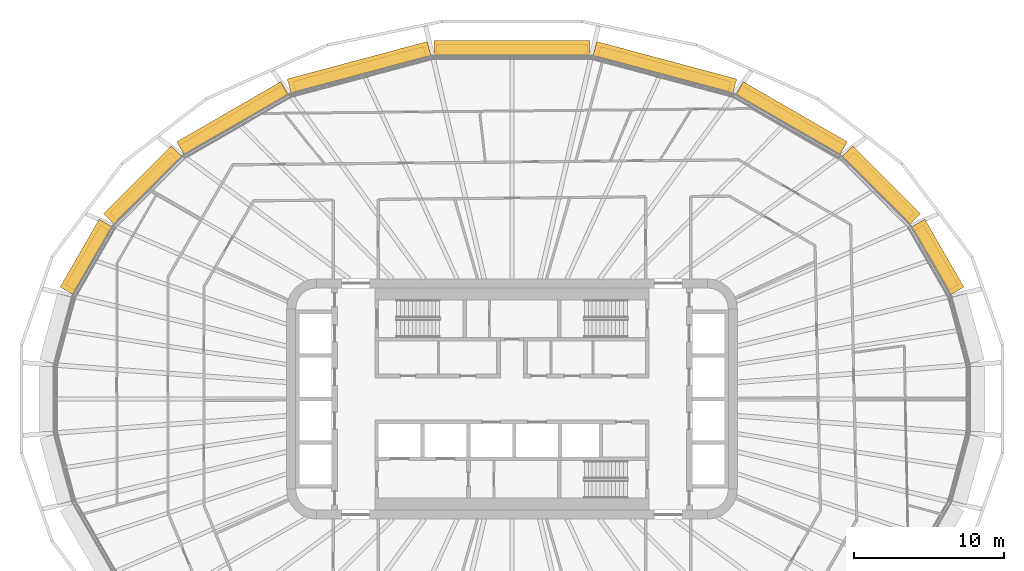
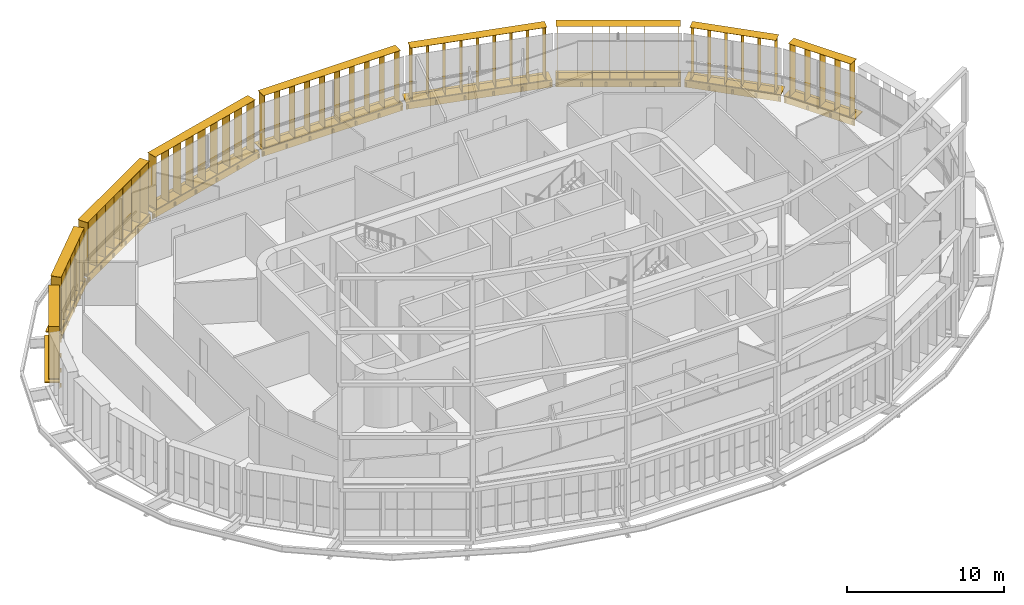
# One storey, part 23 of 23: 18 shading devices.
"""IFC4 building model written with IfcOpenShell, lengths in metres."""

import ifcopenshell
import ifcopenshell.guid

model = None  # the IFC model being written
_history = None  # IfcOwnerHistory: only IFC2X3 demands one
_inside = {}  # id of a spatial element -> (the spatial element, [elements in it])
_under = {}  # id of a project, library or spatial element -> (it, [spatial elements below it])
_declared = {}  # id of a project -> (the project, [libraries it declares])
_typed = {}  # id of a type object -> (the type object, [elements of that type])
_made_of = {}  # id of a material, layer set ... -> (it, [elements and type objects made of it])


def new_model(schema):
    """Start an empty IFC model of exactly this schema.

    Asked for "IFC4X3", IfcOpenShell would pick the latest addendum, in which some entities
    have other attributes; the version numbers below select the first issue.
    IFC2X3 requires an IfcOwnerHistory on every rooted entity: one is made here for all.
    """
    global model, _history
    if schema == "IFC4X3":
        model = ifcopenshell.file(schema_version=(4, 3, 0, 0))
    else:
        model = ifcopenshell.file(schema=schema)
    _inside.clear()
    _under.clear()
    _declared.clear()
    _typed.clear()
    _made_of.clear()
    _history = None
    if model.schema == "IFC2X3":
        org = make("IfcOrganization", Name="unknown")
        user = make(
            "IfcPersonAndOrganization",
            ThePerson=make("IfcPerson", FamilyName="unknown"),
            TheOrganization=org,
        )
        app = make(
            "IfcApplication",
            ApplicationDeveloper=org,
            Version="unknown",
            ApplicationFullName="unknown",
            ApplicationIdentifier="unknown",
        )
        _history = make(
            "IfcOwnerHistory",
            OwningUser=user,
            OwningApplication=app,
            ChangeAction="ADDED",
            CreationDate=0,
        )
    return model


def make(cls, **values):
    """One entity of the class cls with the attributes given. An attribute that is None is left unset."""
    return model.create_entity(
        cls, **{name: value for name, value in values.items() if value is not None}
    )


def rooted(cls, **values):
    """An entity with a GlobalId (a new one), such as an element, a storey or a relation."""
    return make(cls, GlobalId=ifcopenshell.guid.new(), OwnerHistory=_history, **values)


def si_unit(unit_type, name, prefix=None):
    """IfcSIUnit, for example si_unit("LENGTHUNIT", "METRE", prefix="MILLI")."""
    return make("IfcSIUnit", UnitType=unit_type, Prefix=prefix, Name=name)


def assignment(units):
    """IfcUnitAssignment: the units of a project."""
    return None if units is None else make("IfcUnitAssignment", Units=units)


def point(xyz):
    """IfcCartesianPoint."""
    return None if xyz is None else make("IfcCartesianPoint", Coordinates=xyz)


def direction(xyz):
    """IfcDirection."""
    return None if xyz is None else make("IfcDirection", DirectionRatios=xyz)


def frame(location, z_axis=None, x_axis=None):
    """IfcAxis2Placement3D, a coordinate frame: its origin and axes. An axis left out is left unset."""
    return make(
        "IfcAxis2Placement3D",
        Location=point(location),
        Axis=direction(z_axis),
        RefDirection=direction(x_axis),
    )


def frame_2d(location, x_axis=None):
    """IfcAxis2Placement2D, a coordinate frame in the plane: its origin and x axis."""
    return make(
        "IfcAxis2Placement2D", Location=point(location), RefDirection=direction(x_axis)
    )


def origin():
    """The frame at (0, 0, 0) with its axes left unset."""
    return frame((0.0, 0.0, 0.0))


def origin_2d():
    """The frame at (0, 0) in the plane with its x axis left unset."""
    return frame_2d((0.0, 0.0))


def place(relative_to, where):
    """IfcLocalPlacement: puts the frame where relative to a parent placement (None: the world)."""
    return make(
        "IfcLocalPlacement", PlacementRelTo=relative_to, RelativePlacement=where
    )


def context(
    kind, dimensions, precision=None, world=None, true_north=None, identifier=None
):
    """IfcGeometricRepresentationContext, for example the 3D "Model" context."""
    return make(
        "IfcGeometricRepresentationContext",
        ContextIdentifier=identifier,
        ContextType=kind,
        CoordinateSpaceDimension=dimensions,
        Precision=precision,
        WorldCoordinateSystem=world,
        TrueNorth=true_north,
    )


def subcontext(parent, identifier, kind, view, scale=None):
    """IfcGeometricRepresentationSubContext, for example "Body" below "Model"."""
    return make(
        "IfcGeometricRepresentationSubContext",
        ContextIdentifier=identifier,
        ContextType=kind,
        ParentContext=parent,
        TargetScale=scale,
        TargetView=view,
    )


def project(units=None, contexts=None):
    """IfcProject with its units and contexts."""
    return rooted(
        "IfcProject",
        Name="project",
        RepresentationContexts=contexts,
        UnitsInContext=assignment(units),
    )


def spatial(cls, under=None, at=None, **own):
    """A site, building, storey or space (cls), placed at a placement, below another one or the project."""
    s = rooted(cls, ObjectPlacement=at, **own)
    if under is not None:
        _under.setdefault(under.id(), (under, []))[1].append(s)
    return s


def profile(cls, at=None, kind="AREA", **sizes):
    """A parametric profile (cls). Its sizes go by their IFC names, for example OverallWidth=200.0."""
    return make(cls, ProfileType=kind, Position=at, **sizes)


def rectangle(**sizes):
    """IfcRectangleProfileDef."""
    return profile("IfcRectangleProfileDef", **sizes)


def extrude(swept, where, along, depth):
    """IfcExtrudedAreaSolid: the profile swept, set in the frame where, extruded along a direction by depth."""
    return make(
        "IfcExtrudedAreaSolid",
        SweptArea=swept,
        Position=where,
        ExtrudedDirection=direction(along),
        Depth=depth,
    )


def shape(context_of_items, identifier, shape_type, items):
    """IfcShapeRepresentation: the items that make up one representation, for example the "Body"."""
    return make(
        "IfcShapeRepresentation",
        ContextOfItems=context_of_items,
        RepresentationIdentifier=identifier,
        RepresentationType=shape_type,
        Items=items,
    )


def material(Name=None, Category=None):
    """IfcMaterial."""
    return make("IfcMaterial", Name=Name, Category=Category)


def made_of(thing, what):
    """Note that an element or type object is made of a material, layer set ...; save() writes the relation."""
    if what is not None:
        _made_of.setdefault(what.id(), (what, []))[1].append(thing)
    return thing


def type_object(cls, material=None, **own):
    """A type object (cls), such as IfcWallType, which elements share."""
    return made_of(rooted(cls, **own), material)


def element(
    cls,
    number,
    at=None,
    inside=None,
    cuts=None,
    type_object=None,
    material=None,
    context=None,
    identifier="Body",
    shape_type=None,
    held_by="IfcProductDefinitionShape",
    body=None,
    shapes=None,
    **own,
):
    """One element of the class cls, such as IfcWall. Its Tag is "e" and its number.

    at: its placement. inside: the storey or other place that contains it. cuts: it is an
    opening in that element (IfcRelVoidsElement). A single representation is given by context,
    identifier, shape_type and body (its items); several are given by shapes. held_by: the class
    of the entity that holds the representations. save() writes the other relations.
    """
    e = rooted(cls, Tag="e%d" % number, ObjectPlacement=at, **own)
    if body is not None:
        shapes = [shape(context, identifier, shape_type, body)]
    if shapes is not None:
        e.Representation = make(held_by, Representations=shapes)
    if inside is not None:
        _inside.setdefault(inside.id(), (inside, []))[1].append(e)
    if cuts is not None:
        rooted(
            "IfcRelVoidsElement", RelatingBuildingElement=cuts, RelatedOpeningElement=e
        )
    if type_object is not None:
        _typed.setdefault(type_object.id(), (type_object, []))[1].append(e)
    return made_of(e, material)


def aggregate(whole, parts):
    """IfcRelAggregates: a whole, such as a stair, and the parts it consists of."""
    return rooted("IfcRelAggregates", RelatingObject=whole, RelatedObjects=parts)


def save(model, path):
    """Write the relations noted so far, then the file.

    IfcRelAggregates (storeys below a building ...), IfcRelContainedInSpatialStructure (elements
    in a storey), IfcRelDefinesByType, IfcRelAssociatesMaterial and IfcRelDeclares: one each for
    every whole, place, type object, material and project.
    """
    for whole, parts in _under.values():
        aggregate(whole, parts)
    for where, things in _inside.values():
        rooted(
            "IfcRelContainedInSpatialStructure",
            RelatedElements=things,
            RelatingStructure=where,
        )
    for kind, things in _typed.values():
        rooted("IfcRelDefinesByType", RelatedObjects=things, RelatingType=kind)
    for what, things in _made_of.values():
        rooted("IfcRelAssociatesMaterial", RelatedObjects=things, RelatingMaterial=what)
    for by, libraries in _declared.values():
        rooted("IfcRelDeclares", RelatingContext=by, RelatedDefinitions=libraries)
    model.write(path)


model = new_model("IFC4")

# Units and contexts
model_context = context("Model", 3, precision=1e-05, world=origin(), true_north=direction((0.0, 1.0)))
body_context = subcontext(model_context, "Body", "Model", "MODEL_VIEW")
ifc_project = project(units=[si_unit("LENGTHUNIT", "METRE"), si_unit("AREAUNIT", "SQUARE_METRE"), si_unit("VOLUMEUNIT", "CUBIC_METRE"), si_unit("PLANEANGLEUNIT", "RADIAN"), si_unit("MASSUNIT", "GRAM", prefix="KILO")], contexts=[model_context])

# Site, building, storey
site_placement = place(None, origin())
site = spatial("IfcSite", under=ifc_project, at=site_placement, CompositionType="ELEMENT")
building_placement = place(site_placement, origin())
building = spatial("IfcBuilding", under=site, at=building_placement, Name="Sahrelin Media Tower", CompositionType="ELEMENT")
storey_placement = place(building_placement, frame((0.0, 0.0, 54.60009765625)))
storey = spatial("IfcBuildingStorey", under=building, at=storey_placement, Name="L08", CompositionType="ELEMENT", Elevation=54.60009765625)

# Shading devices
ifc_material = material(Name="Champagne anodised aluminium 6063-T6", Category="aluminium")
shading_device_type_1 = type_object("IfcShadingDeviceType", Name="Fin cassette", PredefinedType="USERDEFINED", material=ifc_material)
placement_1 = place(storey_placement, frame((27.893798828125, 9.196533203125, 0.0), z_axis=(0.0, 0.0, 1.0), x_axis=(0.500011000363, -0.866019052629, 0.0)))
element("IfcShadingDevice", 1, at=placement_1, inside=storey, type_object=shading_device_type_1, Name="L08:FIN:L08-02", ObjectType="FIN", PredefinedType="USERDEFINED", context=body_context, shape_type="SweptSolid", body=[
    extrude(rectangle(XDim=4.60009765625, YDim=0.699951171875, at=origin_2d()), frame((0.0, 0.419921875, 0.0)), (0.0, 0.0, 1.0), 0.02001953125),
    extrude(rectangle(XDim=4.60009765625, YDim=0.699951171875, at=origin_2d()), frame((0.0, 0.419921875, 4.10009765625)), (0.0, 0.0, 1.0), 0.02001953125),
    extrude(rectangle(XDim=0.02001953125, YDim=0.699951171875, at=origin_2d()), frame((-2.199951171875, 0.419921875, 0.010009765625), z_axis=(0.0, 0.0, 1.0), x_axis=(1.0, 0.0, 0.0)), (0.0, 0.0, 1.0), 4.10009765625),
    extrude(rectangle(XDim=0.02001953125, YDim=0.699951171875, at=origin_2d()), frame((-1.10009765625, 0.419921875, 0.010009765625), z_axis=(0.0, 0.0, 1.0), x_axis=(1.0, 0.0, 0.0)), (0.0, 0.0, 1.0), 4.10009765625),
    extrude(rectangle(XDim=0.02001953125, YDim=0.699951171875, at=origin_2d()), frame((0.0, 0.419921875, 0.010009765625), z_axis=(0.0, 0.0, 1.0), x_axis=(1.0, 0.0, 0.0)), (0.0, 0.0, 1.0), 4.10009765625),
    extrude(rectangle(XDim=0.02001953125, YDim=0.699951171875, at=origin_2d()), frame((1.10009765625, 0.419921875, 0.010009765625), z_axis=(0.0, 0.0, 1.0), x_axis=(1.0, 0.0, 0.0)), (0.0, 0.0, 1.0), 4.10009765625),
    extrude(rectangle(XDim=0.02001953125, YDim=0.699951171875, at=origin_2d()), frame((2.199951171875, 0.419921875, 0.010009765625), z_axis=(0.0, 0.0, 1.0), x_axis=(1.0, 0.0, 0.0)), (0.0, 0.0, 1.0), 4.10009765625),
])
placement_2 = place(storey_placement, frame((24.218017578125, 13.861328125, 0.0), z_axis=(0.0, 0.0, 1.0), x_axis=(0.707106781187, -0.707106781187, 0.0)))
element("IfcShadingDevice", 2, at=placement_2, inside=storey, type_object=shading_device_type_1, Name="L08:FIN:L08-03", ObjectType="FIN", PredefinedType="USERDEFINED", context=body_context, shape_type="SweptSolid", body=[
    extrude(rectangle(XDim=5.699951171875, YDim=0.699951171875, at=origin_2d()), frame((0.0, 0.419921875, 0.0)), (0.0, 0.0, 1.0), 0.02001953125),
    extrude(rectangle(XDim=5.699951171875, YDim=0.699951171875, at=origin_2d()), frame((0.0, 0.419921875, 4.10009765625)), (0.0, 0.0, 1.0), 0.02001953125),
    extrude(rectangle(XDim=0.02001953125, YDim=0.699951171875, at=origin_2d()), frame((-2.75, 0.419921875, 0.010009765625), z_axis=(0.0, 0.0, 1.0), x_axis=(1.0, 0.0, 0.0)), (0.0, 0.0, 1.0), 4.10009765625),
    extrude(rectangle(XDim=0.02001953125, YDim=0.699951171875, at=origin_2d()), frame((-1.64990234375, 0.419921875, 0.010009765625), z_axis=(0.0, 0.0, 1.0), x_axis=(1.0, 0.0, 0.0)), (0.0, 0.0, 1.0), 4.10009765625),
    extrude(rectangle(XDim=0.02001953125, YDim=0.699951171875, at=origin_2d()), frame((-0.550048828125, 0.419921875, 0.010009765625), z_axis=(0.0, 0.0, 1.0), x_axis=(1.0, 0.0, 0.0)), (0.0, 0.0, 1.0), 4.10009765625),
    extrude(rectangle(XDim=0.02001953125, YDim=0.699951171875, at=origin_2d()), frame((0.550048828125, 0.419921875, 0.010009765625), z_axis=(0.0, 0.0, 1.0), x_axis=(1.0, 0.0, 0.0)), (0.0, 0.0, 1.0), 4.10009765625),
    extrude(rectangle(XDim=0.02001953125, YDim=0.699951171875, at=origin_2d()), frame((1.64990234375, 0.419921875, 0.010009765625), z_axis=(0.0, 0.0, 1.0), x_axis=(1.0, 0.0, 0.0)), (0.0, 0.0, 1.0), 4.10009765625),
    extrude(rectangle(XDim=0.02001953125, YDim=0.699951171875, at=origin_2d()), frame((2.75, 0.419921875, 0.010009765625), z_axis=(0.0, 0.0, 1.0), x_axis=(1.0, 0.0, 0.0)), (0.0, 0.0, 1.0), 4.10009765625),
])
placement_3 = place(storey_placement, frame((18.342041015625, 18.236328125, 0.0), z_axis=(0.0, 0.0, 1.0), x_axis=(0.866019052629, -0.500011000363, 0.0)))
element("IfcShadingDevice", 3, at=placement_3, inside=storey, type_object=shading_device_type_1, Name="L08:FIN:L08-04", ObjectType="FIN", PredefinedType="USERDEFINED", context=body_context, shape_type="SweptSolid", body=[
    extrude(rectangle(XDim=7.89990234375, YDim=0.699951171875, at=origin_2d()), frame((0.0, 0.419921875, 0.0)), (0.0, 0.0, 1.0), 0.02001953125),
    extrude(rectangle(XDim=7.89990234375, YDim=0.699951171875, at=origin_2d()), frame((0.0, 0.419921875, 4.10009765625)), (0.0, 0.0, 1.0), 0.02001953125),
    extrude(rectangle(XDim=0.02001953125, YDim=0.699951171875, at=origin_2d()), frame((-3.85009765625, 0.419921875, 0.010009765625), z_axis=(0.0, 0.0, 1.0), x_axis=(1.0, 0.0, 0.0)), (0.0, 0.0, 1.0), 4.10009765625),
    extrude(rectangle(XDim=0.02001953125, YDim=0.699951171875, at=origin_2d()), frame((-2.75, 0.419921875, 0.010009765625), z_axis=(0.0, 0.0, 1.0), x_axis=(1.0, 0.0, 0.0)), (0.0, 0.0, 1.0), 4.10009765625),
    extrude(rectangle(XDim=0.02001953125, YDim=0.699951171875, at=origin_2d()), frame((-1.64990234375, 0.419921875, 0.010009765625), z_axis=(0.0, 0.0, 1.0), x_axis=(1.0, 0.0, 0.0)), (0.0, 0.0, 1.0), 4.10009765625),
    extrude(rectangle(XDim=0.02001953125, YDim=0.699951171875, at=origin_2d()), frame((-0.550048828125, 0.419921875, 0.010009765625), z_axis=(0.0, 0.0, 1.0), x_axis=(1.0, 0.0, 0.0)), (0.0, 0.0, 1.0), 4.10009765625),
    extrude(rectangle(XDim=0.02001953125, YDim=0.699951171875, at=origin_2d()), frame((0.550048828125, 0.419921875, 0.010009765625), z_axis=(0.0, 0.0, 1.0), x_axis=(1.0, 0.0, 0.0)), (0.0, 0.0, 1.0), 4.10009765625),
    extrude(rectangle(XDim=0.02001953125, YDim=0.699951171875, at=origin_2d()), frame((1.64990234375, 0.419921875, 0.010009765625), z_axis=(0.0, 0.0, 1.0), x_axis=(1.0, 0.0, 0.0)), (0.0, 0.0, 1.0), 4.10009765625),
    extrude(rectangle(XDim=0.02001953125, YDim=0.699951171875, at=origin_2d()), frame((2.75, 0.419921875, 0.010009765625), z_axis=(0.0, 0.0, 1.0), x_axis=(1.0, 0.0, 0.0)), (0.0, 0.0, 1.0), 4.10009765625),
    extrude(rectangle(XDim=0.02001953125, YDim=0.699951171875, at=origin_2d()), frame((3.85009765625, 0.419921875, 0.010009765625), z_axis=(0.0, 0.0, 1.0), x_axis=(1.0, 0.0, 0.0)), (0.0, 0.0, 1.0), 4.10009765625),
])
placement_4 = place(storey_placement, frame((10.03759765625, 21.560302734375, 0.0), z_axis=(0.0, 0.0, 1.0), x_axis=(0.965928857556, -0.258807731996, 0.0)))
element("IfcShadingDevice", 4, at=placement_4, inside=storey, type_object=shading_device_type_1, Name="L08:FIN:L08-05", ObjectType="FIN", PredefinedType="USERDEFINED", context=body_context, shape_type="SweptSolid", body=[
    extrude(rectangle(XDim=9.0, YDim=0.699951171875, at=origin_2d()), frame((0.0, 0.419921875, 0.0)), (0.0, 0.0, 1.0), 0.02001953125),
    extrude(rectangle(XDim=9.0, YDim=0.699951171875, at=origin_2d()), frame((0.0, 0.419921875, 4.10009765625)), (0.0, 0.0, 1.0), 0.02001953125),
    extrude(rectangle(XDim=0.02001953125, YDim=0.699951171875, at=origin_2d()), frame((-4.39990234375, 0.419921875, 0.010009765625), z_axis=(0.0, 0.0, 1.0), x_axis=(1.0, 0.0, 0.0)), (0.0, 0.0, 1.0), 4.10009765625),
    extrude(rectangle(XDim=0.02001953125, YDim=0.699951171875, at=origin_2d()), frame((-3.300048828125, 0.419921875, 0.010009765625), z_axis=(0.0, 0.0, 1.0), x_axis=(1.0, 0.0, 0.0)), (0.0, 0.0, 1.0), 4.10009765625),
    extrude(rectangle(XDim=0.02001953125, YDim=0.699951171875, at=origin_2d()), frame((-2.199951171875, 0.419921875, 0.010009765625), z_axis=(0.0, 0.0, 1.0), x_axis=(1.0, 0.0, 0.0)), (0.0, 0.0, 1.0), 4.10009765625),
    extrude(rectangle(XDim=0.02001953125, YDim=0.699951171875, at=origin_2d()), frame((-1.10009765625, 0.419921875, 0.010009765625), z_axis=(0.0, 0.0, 1.0), x_axis=(1.0, 0.0, 0.0)), (0.0, 0.0, 1.0), 4.10009765625),
    extrude(rectangle(XDim=0.02001953125, YDim=0.699951171875, at=origin_2d()), frame((0.0, 0.419921875, 0.010009765625), z_axis=(0.0, 0.0, 1.0), x_axis=(1.0, 0.0, 0.0)), (0.0, 0.0, 1.0), 4.10009765625),
    extrude(rectangle(XDim=0.02001953125, YDim=0.699951171875, at=origin_2d()), frame((1.10009765625, 0.419921875, 0.010009765625), z_axis=(0.0, 0.0, 1.0), x_axis=(1.0, 0.0, 0.0)), (0.0, 0.0, 1.0), 4.10009765625),
    extrude(rectangle(XDim=0.02001953125, YDim=0.699951171875, at=origin_2d()), frame((2.199951171875, 0.419921875, 0.010009765625), z_axis=(0.0, 0.0, 1.0), x_axis=(1.0, 0.0, 0.0)), (0.0, 0.0, 1.0), 4.10009765625),
    extrude(rectangle(XDim=0.02001953125, YDim=0.699951171875, at=origin_2d()), frame((3.300048828125, 0.419921875, 0.010009765625), z_axis=(0.0, 0.0, 1.0), x_axis=(1.0, 0.0, 0.0)), (0.0, 0.0, 1.0), 4.10009765625),
    extrude(rectangle(XDim=0.02001953125, YDim=0.699951171875, at=origin_2d()), frame((4.39990234375, 0.419921875, 0.010009765625), z_axis=(0.0, 0.0, 1.0), x_axis=(1.0, 0.0, 0.0)), (0.0, 0.0, 1.0), 4.10009765625),
])
placement_5 = place(storey_placement, frame((0.0, 22.833984375, 0.0), z_axis=(0.0, 0.0, 1.0), x_axis=(1.0, 0.0, 0.0)))
element("IfcShadingDevice", 5, at=placement_5, inside=storey, type_object=shading_device_type_1, Name="L08:FIN:L08-06", ObjectType="FIN", PredefinedType="USERDEFINED", context=body_context, shape_type="SweptSolid", body=[
    extrude(rectangle(XDim=10.10009765625, YDim=0.699951171875, at=origin_2d()), frame((0.0, 0.419921875, 0.0)), (0.0, 0.0, 1.0), 0.02001953125),
    extrude(rectangle(XDim=10.10009765625, YDim=0.699951171875, at=origin_2d()), frame((0.0, 0.419921875, 4.10009765625)), (0.0, 0.0, 1.0), 0.02001953125),
    extrude(rectangle(XDim=0.02001953125, YDim=0.699951171875, at=origin_2d()), frame((-4.949951171875, 0.419921875, 0.010009765625), z_axis=(0.0, 0.0, 1.0), x_axis=(1.0, 0.0, 0.0)), (0.0, 0.0, 1.0), 4.10009765625),
    extrude(rectangle(XDim=0.02001953125, YDim=0.699951171875, at=origin_2d()), frame((-3.85009765625, 0.419921875, 0.010009765625), z_axis=(0.0, 0.0, 1.0), x_axis=(1.0, 0.0, 0.0)), (0.0, 0.0, 1.0), 4.10009765625),
    extrude(rectangle(XDim=0.02001953125, YDim=0.699951171875, at=origin_2d()), frame((-2.75, 0.419921875, 0.010009765625), z_axis=(0.0, 0.0, 1.0), x_axis=(1.0, 0.0, 0.0)), (0.0, 0.0, 1.0), 4.10009765625),
    extrude(rectangle(XDim=0.02001953125, YDim=0.699951171875, at=origin_2d()), frame((-1.64990234375, 0.419921875, 0.010009765625), z_axis=(0.0, 0.0, 1.0), x_axis=(1.0, 0.0, 0.0)), (0.0, 0.0, 1.0), 4.10009765625),
    extrude(rectangle(XDim=0.02001953125, YDim=0.699951171875, at=origin_2d()), frame((-0.550048828125, 0.419921875, 0.010009765625), z_axis=(0.0, 0.0, 1.0), x_axis=(1.0, 0.0, 0.0)), (0.0, 0.0, 1.0), 4.10009765625),
    extrude(rectangle(XDim=0.02001953125, YDim=0.699951171875, at=origin_2d()), frame((0.550048828125, 0.419921875, 0.010009765625), z_axis=(0.0, 0.0, 1.0), x_axis=(1.0, 0.0, 0.0)), (0.0, 0.0, 1.0), 4.10009765625),
    extrude(rectangle(XDim=0.02001953125, YDim=0.699951171875, at=origin_2d()), frame((1.64990234375, 0.419921875, 0.010009765625), z_axis=(0.0, 0.0, 1.0), x_axis=(1.0, 0.0, 0.0)), (0.0, 0.0, 1.0), 4.10009765625),
    extrude(rectangle(XDim=0.02001953125, YDim=0.699951171875, at=origin_2d()), frame((2.75, 0.419921875, 0.010009765625), z_axis=(0.0, 0.0, 1.0), x_axis=(1.0, 0.0, 0.0)), (0.0, 0.0, 1.0), 4.10009765625),
    extrude(rectangle(XDim=0.02001953125, YDim=0.699951171875, at=origin_2d()), frame((3.85009765625, 0.419921875, 0.010009765625), z_axis=(0.0, 0.0, 1.0), x_axis=(1.0, 0.0, 0.0)), (0.0, 0.0, 1.0), 4.10009765625),
    extrude(rectangle(XDim=0.02001953125, YDim=0.699951171875, at=origin_2d()), frame((4.949951171875, 0.419921875, 0.010009765625), z_axis=(0.0, 0.0, 1.0), x_axis=(1.0, 0.0, 0.0)), (0.0, 0.0, 1.0), 4.10009765625),
])
placement_6 = place(storey_placement, frame((-10.03759765625, 21.560302734375, 0.0), z_axis=(0.0, 0.0, 1.0), x_axis=(0.965928857556, 0.258807731996, 0.0)))
element("IfcShadingDevice", 6, at=placement_6, inside=storey, type_object=shading_device_type_1, Name="L08:FIN:L08-07", ObjectType="FIN", PredefinedType="USERDEFINED", context=body_context, shape_type="SweptSolid", body=[
    extrude(rectangle(XDim=9.0, YDim=0.699951171875, at=origin_2d()), frame((0.0, 0.419921875, 0.0)), (0.0, 0.0, 1.0), 0.02001953125),
    extrude(rectangle(XDim=9.0, YDim=0.699951171875, at=origin_2d()), frame((0.0, 0.419921875, 4.10009765625)), (0.0, 0.0, 1.0), 0.02001953125),
    extrude(rectangle(XDim=0.02001953125, YDim=0.699951171875, at=origin_2d()), frame((-4.39990234375, 0.419921875, 0.010009765625), z_axis=(0.0, 0.0, 1.0), x_axis=(1.0, 0.0, 0.0)), (0.0, 0.0, 1.0), 4.10009765625),
    extrude(rectangle(XDim=0.02001953125, YDim=0.699951171875, at=origin_2d()), frame((-3.300048828125, 0.419921875, 0.010009765625), z_axis=(0.0, 0.0, 1.0), x_axis=(1.0, 0.0, 0.0)), (0.0, 0.0, 1.0), 4.10009765625),
    extrude(rectangle(XDim=0.02001953125, YDim=0.699951171875, at=origin_2d()), frame((-2.199951171875, 0.419921875, 0.010009765625), z_axis=(0.0, 0.0, 1.0), x_axis=(1.0, 0.0, 0.0)), (0.0, 0.0, 1.0), 4.10009765625),
    extrude(rectangle(XDim=0.02001953125, YDim=0.699951171875, at=origin_2d()), frame((-1.10009765625, 0.419921875, 0.010009765625), z_axis=(0.0, 0.0, 1.0), x_axis=(1.0, 0.0, 0.0)), (0.0, 0.0, 1.0), 4.10009765625),
    extrude(rectangle(XDim=0.02001953125, YDim=0.699951171875, at=origin_2d()), frame((0.0, 0.419921875, 0.010009765625), z_axis=(0.0, 0.0, 1.0), x_axis=(1.0, 0.0, 0.0)), (0.0, 0.0, 1.0), 4.10009765625),
    extrude(rectangle(XDim=0.02001953125, YDim=0.699951171875, at=origin_2d()), frame((1.10009765625, 0.419921875, 0.010009765625), z_axis=(0.0, 0.0, 1.0), x_axis=(1.0, 0.0, 0.0)), (0.0, 0.0, 1.0), 4.10009765625),
    extrude(rectangle(XDim=0.02001953125, YDim=0.699951171875, at=origin_2d()), frame((2.199951171875, 0.419921875, 0.010009765625), z_axis=(0.0, 0.0, 1.0), x_axis=(1.0, 0.0, 0.0)), (0.0, 0.0, 1.0), 4.10009765625),
    extrude(rectangle(XDim=0.02001953125, YDim=0.699951171875, at=origin_2d()), frame((3.300048828125, 0.419921875, 0.010009765625), z_axis=(0.0, 0.0, 1.0), x_axis=(1.0, 0.0, 0.0)), (0.0, 0.0, 1.0), 4.10009765625),
    extrude(rectangle(XDim=0.02001953125, YDim=0.699951171875, at=origin_2d()), frame((4.39990234375, 0.419921875, 0.010009765625), z_axis=(0.0, 0.0, 1.0), x_axis=(1.0, 0.0, 0.0)), (0.0, 0.0, 1.0), 4.10009765625),
])
placement_7 = place(storey_placement, frame((-18.342041015625, 18.236328125, 0.0), z_axis=(0.0, 0.0, 1.0), x_axis=(0.866019052629, 0.500011000363, 0.0)))
element("IfcShadingDevice", 7, at=placement_7, inside=storey, type_object=shading_device_type_1, Name="L08:FIN:L08-08", ObjectType="FIN", PredefinedType="USERDEFINED", context=body_context, shape_type="SweptSolid", body=[
    extrude(rectangle(XDim=7.89990234375, YDim=0.699951171875, at=origin_2d()), frame((0.0, 0.419921875, 0.0)), (0.0, 0.0, 1.0), 0.02001953125),
    extrude(rectangle(XDim=7.89990234375, YDim=0.699951171875, at=origin_2d()), frame((0.0, 0.419921875, 4.10009765625)), (0.0, 0.0, 1.0), 0.02001953125),
    extrude(rectangle(XDim=0.02001953125, YDim=0.699951171875, at=origin_2d()), frame((-3.85009765625, 0.419921875, 0.010009765625), z_axis=(0.0, 0.0, 1.0), x_axis=(1.0, 0.0, 0.0)), (0.0, 0.0, 1.0), 4.10009765625),
    extrude(rectangle(XDim=0.02001953125, YDim=0.699951171875, at=origin_2d()), frame((-2.75, 0.419921875, 0.010009765625), z_axis=(0.0, 0.0, 1.0), x_axis=(1.0, 0.0, 0.0)), (0.0, 0.0, 1.0), 4.10009765625),
    extrude(rectangle(XDim=0.02001953125, YDim=0.699951171875, at=origin_2d()), frame((-1.64990234375, 0.419921875, 0.010009765625), z_axis=(0.0, 0.0, 1.0), x_axis=(1.0, 0.0, 0.0)), (0.0, 0.0, 1.0), 4.10009765625),
    extrude(rectangle(XDim=0.02001953125, YDim=0.699951171875, at=origin_2d()), frame((-0.550048828125, 0.419921875, 0.010009765625), z_axis=(0.0, 0.0, 1.0), x_axis=(1.0, 0.0, 0.0)), (0.0, 0.0, 1.0), 4.10009765625),
    extrude(rectangle(XDim=0.02001953125, YDim=0.699951171875, at=origin_2d()), frame((0.550048828125, 0.419921875, 0.010009765625), z_axis=(0.0, 0.0, 1.0), x_axis=(1.0, 0.0, 0.0)), (0.0, 0.0, 1.0), 4.10009765625),
    extrude(rectangle(XDim=0.02001953125, YDim=0.699951171875, at=origin_2d()), frame((1.64990234375, 0.419921875, 0.010009765625), z_axis=(0.0, 0.0, 1.0), x_axis=(1.0, 0.0, 0.0)), (0.0, 0.0, 1.0), 4.10009765625),
    extrude(rectangle(XDim=0.02001953125, YDim=0.699951171875, at=origin_2d()), frame((2.75, 0.419921875, 0.010009765625), z_axis=(0.0, 0.0, 1.0), x_axis=(1.0, 0.0, 0.0)), (0.0, 0.0, 1.0), 4.10009765625),
    extrude(rectangle(XDim=0.02001953125, YDim=0.699951171875, at=origin_2d()), frame((3.85009765625, 0.419921875, 0.010009765625), z_axis=(0.0, 0.0, 1.0), x_axis=(1.0, 0.0, 0.0)), (0.0, 0.0, 1.0), 4.10009765625),
])
placement_8 = place(storey_placement, frame((-24.21826171875, 13.861572265625, 0.0), z_axis=(0.0, 0.0, 1.0), x_axis=(0.707106781187, 0.707106781187, 0.0)))
element("IfcShadingDevice", 8, at=placement_8, inside=storey, type_object=shading_device_type_1, Name="L08:FIN:L08-09", ObjectType="FIN", PredefinedType="USERDEFINED", context=body_context, shape_type="SweptSolid", body=[
    extrude(rectangle(XDim=5.699951171875, YDim=0.699951171875, at=origin_2d()), frame((0.0, 0.419921875, 0.0)), (0.0, 0.0, 1.0), 0.02001953125),
    extrude(rectangle(XDim=5.699951171875, YDim=0.699951171875, at=origin_2d()), frame((0.0, 0.419921875, 4.10009765625)), (0.0, 0.0, 1.0), 0.02001953125),
    extrude(rectangle(XDim=0.02001953125, YDim=0.699951171875, at=origin_2d()), frame((-2.75, 0.419921875, 0.010009765625), z_axis=(0.0, 0.0, 1.0), x_axis=(1.0, 0.0, 0.0)), (0.0, 0.0, 1.0), 4.10009765625),
    extrude(rectangle(XDim=0.02001953125, YDim=0.699951171875, at=origin_2d()), frame((-1.64990234375, 0.419921875, 0.010009765625), z_axis=(0.0, 0.0, 1.0), x_axis=(1.0, 0.0, 0.0)), (0.0, 0.0, 1.0), 4.10009765625),
    extrude(rectangle(XDim=0.02001953125, YDim=0.699951171875, at=origin_2d()), frame((-0.550048828125, 0.419921875, 0.010009765625), z_axis=(0.0, 0.0, 1.0), x_axis=(1.0, 0.0, 0.0)), (0.0, 0.0, 1.0), 4.10009765625),
    extrude(rectangle(XDim=0.02001953125, YDim=0.699951171875, at=origin_2d()), frame((0.550048828125, 0.419921875, 0.010009765625), z_axis=(0.0, 0.0, 1.0), x_axis=(1.0, 0.0, 0.0)), (0.0, 0.0, 1.0), 4.10009765625),
    extrude(rectangle(XDim=0.02001953125, YDim=0.699951171875, at=origin_2d()), frame((1.64990234375, 0.419921875, 0.010009765625), z_axis=(0.0, 0.0, 1.0), x_axis=(1.0, 0.0, 0.0)), (0.0, 0.0, 1.0), 4.10009765625),
    extrude(rectangle(XDim=0.02001953125, YDim=0.699951171875, at=origin_2d()), frame((2.75, 0.419921875, 0.010009765625), z_axis=(0.0, 0.0, 1.0), x_axis=(1.0, 0.0, 0.0)), (0.0, 0.0, 1.0), 4.10009765625),
])
placement_9 = place(storey_placement, frame((-27.893798828125, 9.196533203125, 0.0), z_axis=(0.0, 0.0, 1.0), x_axis=(0.500011000363, 0.866019052629, 0.0)))
element("IfcShadingDevice", 9, at=placement_9, inside=storey, type_object=shading_device_type_1, Name="L08:FIN:L08-10", ObjectType="FIN", PredefinedType="USERDEFINED", context=body_context, shape_type="SweptSolid", body=[
    extrude(rectangle(XDim=4.60009765625, YDim=0.699951171875, at=origin_2d()), frame((0.0, 0.419921875, 0.0)), (0.0, 0.0, 1.0), 0.02001953125),
    extrude(rectangle(XDim=4.60009765625, YDim=0.699951171875, at=origin_2d()), frame((0.0, 0.419921875, 4.10009765625)), (0.0, 0.0, 1.0), 0.02001953125),
    extrude(rectangle(XDim=0.02001953125, YDim=0.699951171875, at=origin_2d()), frame((-2.199951171875, 0.419921875, 0.010009765625), z_axis=(0.0, 0.0, 1.0), x_axis=(1.0, 0.0, 0.0)), (0.0, 0.0, 1.0), 4.10009765625),
    extrude(rectangle(XDim=0.02001953125, YDim=0.699951171875, at=origin_2d()), frame((-1.10009765625, 0.419921875, 0.010009765625), z_axis=(0.0, 0.0, 1.0), x_axis=(1.0, 0.0, 0.0)), (0.0, 0.0, 1.0), 4.10009765625),
    extrude(rectangle(XDim=0.02001953125, YDim=0.699951171875, at=origin_2d()), frame((0.0, 0.419921875, 0.010009765625), z_axis=(0.0, 0.0, 1.0), x_axis=(1.0, 0.0, 0.0)), (0.0, 0.0, 1.0), 4.10009765625),
    extrude(rectangle(XDim=0.02001953125, YDim=0.699951171875, at=origin_2d()), frame((1.10009765625, 0.419921875, 0.010009765625), z_axis=(0.0, 0.0, 1.0), x_axis=(1.0, 0.0, 0.0)), (0.0, 0.0, 1.0), 4.10009765625),
    extrude(rectangle(XDim=0.02001953125, YDim=0.699951171875, at=origin_2d()), frame((2.199951171875, 0.419921875, 0.010009765625), z_axis=(0.0, 0.0, 1.0), x_axis=(1.0, 0.0, 0.0)), (0.0, 0.0, 1.0), 4.10009765625),
])
shading_device_type_2 = type_object("IfcShadingDeviceType", Name="Sunshade band", PredefinedType="USERDEFINED", material=ifc_material)
element("IfcShadingDevice", 10, at=placement_1, inside=storey, type_object=shading_device_type_2, Name="L08:SUN:L08-02", ObjectType="SUNSHADE", PredefinedType="USERDEFINED", context=body_context, shape_type="SweptSolid", body=[
    extrude(rectangle(XDim=5.205810546875, YDim=0.050048828125, at=origin_2d()), frame((0.0, 0.044921875, -0.55126953125)), (0.0, 0.0, 1.0), 0.471435546875),
    extrude(rectangle(XDim=5.205810546875, YDim=1.0, at=origin_2d()), frame((0.0, 0.52001953125, -0.080078125)), (0.0, 0.0, 1.0), 0.080078125),
    extrude(rectangle(XDim=0.10009765625, YDim=0.074951171875, at=origin_2d()), frame((-2.502685546875, -0.017578125, -0.47021484375)), (0.0, 0.0, 1.0), 0.300048828125),
    extrude(rectangle(XDim=0.10009765625, YDim=0.074951171875, at=origin_2d()), frame((-0.834228515625, -0.017578125, -0.47021484375)), (0.0, 0.0, 1.0), 0.300048828125),
    extrude(rectangle(XDim=0.10009765625, YDim=0.074951171875, at=origin_2d()), frame((0.834228515625, -0.017578125, -0.47021484375)), (0.0, 0.0, 1.0), 0.300048828125),
    extrude(rectangle(XDim=0.10009765625, YDim=0.074951171875, at=origin_2d()), frame((2.502685546875, -0.017578125, -0.47021484375)), (0.0, 0.0, 1.0), 0.300048828125),
])
element("IfcShadingDevice", 11, at=placement_2, inside=storey, type_object=shading_device_type_2, Name="L08:SUN:L08-03", ObjectType="SUNSHADE", PredefinedType="USERDEFINED", context=body_context, shape_type="SweptSolid", body=[
    extrude(rectangle(XDim=6.373779296875, YDim=0.050048828125, at=origin_2d()), frame((0.0, 0.044921875, -0.55126953125)), (0.0, 0.0, 1.0), 0.471435546875),
    extrude(rectangle(XDim=6.373779296875, YDim=1.0, at=origin_2d()), frame((0.0, 0.52001953125, -0.080078125)), (0.0, 0.0, 1.0), 0.080078125),
    extrude(rectangle(XDim=0.10009765625, YDim=0.074951171875, at=origin_2d()), frame((-3.0869140625, -0.017578125, -0.47021484375)), (0.0, 0.0, 1.0), 0.300048828125),
    extrude(rectangle(XDim=0.10009765625, YDim=0.074951171875, at=origin_2d()), frame((-1.54345703125, -0.017578125, -0.47021484375)), (0.0, 0.0, 1.0), 0.300048828125),
    extrude(rectangle(XDim=0.10009765625, YDim=0.074951171875, at=origin_2d()), frame((0.0, -0.017578125, -0.47021484375)), (0.0, 0.0, 1.0), 0.300048828125),
    extrude(rectangle(XDim=0.10009765625, YDim=0.074951171875, at=origin_2d()), frame((1.54345703125, -0.017578125, -0.47021484375)), (0.0, 0.0, 1.0), 0.300048828125),
    extrude(rectangle(XDim=0.10009765625, YDim=0.074951171875, at=origin_2d()), frame((3.0869140625, -0.017578125, -0.47021484375)), (0.0, 0.0, 1.0), 0.300048828125),
])
element("IfcShadingDevice", 12, at=placement_3, inside=storey, type_object=shading_device_type_2, Name="L08:SUN:L08-04", ObjectType="SUNSHADE", PredefinedType="USERDEFINED", context=body_context, shape_type="SweptSolid", body=[
    extrude(rectangle(XDim=8.0029296875, YDim=0.050048828125, at=origin_2d()), frame((0.0, 0.044921875, -0.55126953125)), (0.0, 0.0, 1.0), 0.471435546875),
    extrude(rectangle(XDim=8.0029296875, YDim=1.0, at=origin_2d()), frame((0.0, 0.52001953125, -0.080078125)), (0.0, 0.0, 1.0), 0.080078125),
    extrude(rectangle(XDim=0.10009765625, YDim=0.074951171875, at=origin_2d()), frame((-3.9013671875, -0.017578125, -0.47021484375)), (0.0, 0.0, 1.0), 0.300048828125),
    extrude(rectangle(XDim=0.10009765625, YDim=0.074951171875, at=origin_2d()), frame((-2.3408203125, -0.017578125, -0.47021484375)), (0.0, 0.0, 1.0), 0.300048828125),
    extrude(rectangle(XDim=0.10009765625, YDim=0.074951171875, at=origin_2d()), frame((-0.7802734375, -0.017578125, -0.47021484375)), (0.0, 0.0, 1.0), 0.300048828125),
    extrude(rectangle(XDim=0.10009765625, YDim=0.074951171875, at=origin_2d()), frame((0.7802734375, -0.017578125, -0.47021484375)), (0.0, 0.0, 1.0), 0.300048828125),
    extrude(rectangle(XDim=0.10009765625, YDim=0.074951171875, at=origin_2d()), frame((2.3408203125, -0.017578125, -0.47021484375)), (0.0, 0.0, 1.0), 0.300048828125),
    extrude(rectangle(XDim=0.10009765625, YDim=0.074951171875, at=origin_2d()), frame((3.9013671875, -0.017578125, -0.47021484375)), (0.0, 0.0, 1.0), 0.300048828125),
])
element("IfcShadingDevice", 13, at=placement_4, inside=storey, type_object=shading_device_type_2, Name="L08:SUN:L08-05", ObjectType="SUNSHADE", PredefinedType="USERDEFINED", context=body_context, shape_type="SweptSolid", body=[
    extrude(rectangle(XDim=9.640380859375, YDim=0.050048828125, at=origin_2d()), frame((0.0, 0.044921875, -0.55126953125)), (0.0, 0.0, 1.0), 0.471435546875),
    extrude(rectangle(XDim=9.640380859375, YDim=1.0, at=origin_2d()), frame((0.0, 0.52001953125, -0.080078125)), (0.0, 0.0, 1.0), 0.080078125),
    extrude(rectangle(XDim=0.10009765625, YDim=0.074951171875, at=origin_2d()), frame((-4.72021484375, -0.017578125, -0.47021484375)), (0.0, 0.0, 1.0), 0.300048828125),
    extrude(rectangle(XDim=0.10009765625, YDim=0.074951171875, at=origin_2d()), frame((-2.832275390625, -0.017578125, -0.47021484375)), (0.0, 0.0, 1.0), 0.300048828125),
    extrude(rectangle(XDim=0.10009765625, YDim=0.074951171875, at=origin_2d()), frame((-0.944091796875, -0.017578125, -0.47021484375)), (0.0, 0.0, 1.0), 0.300048828125),
    extrude(rectangle(XDim=0.10009765625, YDim=0.074951171875, at=origin_2d()), frame((0.944091796875, -0.017578125, -0.47021484375)), (0.0, 0.0, 1.0), 0.300048828125),
    extrude(rectangle(XDim=0.10009765625, YDim=0.074951171875, at=origin_2d()), frame((2.832275390625, -0.017578125, -0.47021484375)), (0.0, 0.0, 1.0), 0.300048828125),
    extrude(rectangle(XDim=0.10009765625, YDim=0.074951171875, at=origin_2d()), frame((4.72021484375, -0.017578125, -0.47021484375)), (0.0, 0.0, 1.0), 0.300048828125),
])
element("IfcShadingDevice", 14, at=placement_5, inside=storey, type_object=shading_device_type_2, Name="L08:SUN:L08-06", ObjectType="SUNSHADE", PredefinedType="USERDEFINED", context=body_context, shape_type="SweptSolid", body=[
    extrude(rectangle(XDim=10.369873046875, YDim=0.050048828125, at=origin_2d()), frame((0.0, 0.044921875, -0.55126953125)), (0.0, 0.0, 1.0), 0.471435546875),
    extrude(rectangle(XDim=10.369873046875, YDim=1.0, at=origin_2d()), frame((0.0, 0.52001953125, -0.080078125)), (0.0, 0.0, 1.0), 0.080078125),
    extrude(rectangle(XDim=0.10009765625, YDim=0.074951171875, at=origin_2d()), frame((-5.0849609375, -0.017578125, -0.47021484375)), (0.0, 0.0, 1.0), 0.300048828125),
    extrude(rectangle(XDim=0.10009765625, YDim=0.074951171875, at=origin_2d()), frame((-3.389892578125, -0.017578125, -0.47021484375)), (0.0, 0.0, 1.0), 0.300048828125),
    extrude(rectangle(XDim=0.10009765625, YDim=0.074951171875, at=origin_2d()), frame((-1.695068359375, -0.017578125, -0.47021484375)), (0.0, 0.0, 1.0), 0.300048828125),
    extrude(rectangle(XDim=0.10009765625, YDim=0.074951171875, at=origin_2d()), frame((0.0, -0.017578125, -0.47021484375)), (0.0, 0.0, 1.0), 0.300048828125),
    extrude(rectangle(XDim=0.10009765625, YDim=0.074951171875, at=origin_2d()), frame((1.695068359375, -0.017578125, -0.47021484375)), (0.0, 0.0, 1.0), 0.300048828125),
    extrude(rectangle(XDim=0.10009765625, YDim=0.074951171875, at=origin_2d()), frame((3.389892578125, -0.017578125, -0.47021484375)), (0.0, 0.0, 1.0), 0.300048828125),
    extrude(rectangle(XDim=0.10009765625, YDim=0.074951171875, at=origin_2d()), frame((5.0849609375, -0.017578125, -0.47021484375)), (0.0, 0.0, 1.0), 0.300048828125),
])
element("IfcShadingDevice", 15, at=placement_6, inside=storey, type_object=shading_device_type_2, Name="L08:SUN:L08-07", ObjectType="SUNSHADE", PredefinedType="USERDEFINED", context=body_context, shape_type="SweptSolid", body=[
    extrude(rectangle(XDim=9.640380859375, YDim=0.050048828125, at=origin_2d()), frame((0.0, 0.044921875, -0.55126953125)), (0.0, 0.0, 1.0), 0.471435546875),
    extrude(rectangle(XDim=9.640380859375, YDim=1.0, at=origin_2d()), frame((0.0, 0.52001953125, -0.080078125)), (0.0, 0.0, 1.0), 0.080078125),
    extrude(rectangle(XDim=0.10009765625, YDim=0.074951171875, at=origin_2d()), frame((-4.72021484375, -0.017578125, -0.47021484375)), (0.0, 0.0, 1.0), 0.300048828125),
    extrude(rectangle(XDim=0.10009765625, YDim=0.074951171875, at=origin_2d()), frame((-2.832275390625, -0.017578125, -0.47021484375)), (0.0, 0.0, 1.0), 0.300048828125),
    extrude(rectangle(XDim=0.10009765625, YDim=0.074951171875, at=origin_2d()), frame((-0.944091796875, -0.017578125, -0.47021484375)), (0.0, 0.0, 1.0), 0.300048828125),
    extrude(rectangle(XDim=0.10009765625, YDim=0.074951171875, at=origin_2d()), frame((0.944091796875, -0.017578125, -0.47021484375)), (0.0, 0.0, 1.0), 0.300048828125),
    extrude(rectangle(XDim=0.10009765625, YDim=0.074951171875, at=origin_2d()), frame((2.832275390625, -0.017578125, -0.47021484375)), (0.0, 0.0, 1.0), 0.300048828125),
    extrude(rectangle(XDim=0.10009765625, YDim=0.074951171875, at=origin_2d()), frame((4.72021484375, -0.017578125, -0.47021484375)), (0.0, 0.0, 1.0), 0.300048828125),
])
element("IfcShadingDevice", 16, at=placement_7, inside=storey, type_object=shading_device_type_2, Name="L08:SUN:L08-08", ObjectType="SUNSHADE", PredefinedType="USERDEFINED", context=body_context, shape_type="SweptSolid", body=[
    extrude(rectangle(XDim=8.0029296875, YDim=0.050048828125, at=origin_2d()), frame((0.0, 0.044921875, -0.55126953125)), (0.0, 0.0, 1.0), 0.471435546875),
    extrude(rectangle(XDim=8.0029296875, YDim=1.0, at=origin_2d()), frame((0.0, 0.52001953125, -0.080078125)), (0.0, 0.0, 1.0), 0.080078125),
    extrude(rectangle(XDim=0.10009765625, YDim=0.074951171875, at=origin_2d()), frame((-3.9013671875, -0.017578125, -0.47021484375)), (0.0, 0.0, 1.0), 0.300048828125),
    extrude(rectangle(XDim=0.10009765625, YDim=0.074951171875, at=origin_2d()), frame((-2.3408203125, -0.017578125, -0.47021484375)), (0.0, 0.0, 1.0), 0.300048828125),
    extrude(rectangle(XDim=0.10009765625, YDim=0.074951171875, at=origin_2d()), frame((-0.7802734375, -0.017578125, -0.47021484375)), (0.0, 0.0, 1.0), 0.300048828125),
    extrude(rectangle(XDim=0.10009765625, YDim=0.074951171875, at=origin_2d()), frame((0.7802734375, -0.017578125, -0.47021484375)), (0.0, 0.0, 1.0), 0.300048828125),
    extrude(rectangle(XDim=0.10009765625, YDim=0.074951171875, at=origin_2d()), frame((2.3408203125, -0.017578125, -0.47021484375)), (0.0, 0.0, 1.0), 0.300048828125),
    extrude(rectangle(XDim=0.10009765625, YDim=0.074951171875, at=origin_2d()), frame((3.9013671875, -0.017578125, -0.47021484375)), (0.0, 0.0, 1.0), 0.300048828125),
])
element("IfcShadingDevice", 17, at=placement_8, inside=storey, type_object=shading_device_type_2, Name="L08:SUN:L08-09", ObjectType="SUNSHADE", PredefinedType="USERDEFINED", context=body_context, shape_type="SweptSolid", body=[
    extrude(rectangle(XDim=6.373779296875, YDim=0.050048828125, at=origin_2d()), frame((0.0, 0.044921875, -0.55126953125)), (0.0, 0.0, 1.0), 0.471435546875),
    extrude(rectangle(XDim=6.373779296875, YDim=1.0, at=origin_2d()), frame((0.0, 0.52001953125, -0.080078125)), (0.0, 0.0, 1.0), 0.080078125),
    extrude(rectangle(XDim=0.10009765625, YDim=0.074951171875, at=origin_2d()), frame((-3.0869140625, -0.017578125, -0.47021484375)), (0.0, 0.0, 1.0), 0.300048828125),
    extrude(rectangle(XDim=0.10009765625, YDim=0.074951171875, at=origin_2d()), frame((-1.54345703125, -0.017578125, -0.47021484375)), (0.0, 0.0, 1.0), 0.300048828125),
    extrude(rectangle(XDim=0.10009765625, YDim=0.074951171875, at=origin_2d()), frame((0.0, -0.017578125, -0.47021484375)), (0.0, 0.0, 1.0), 0.300048828125),
    extrude(rectangle(XDim=0.10009765625, YDim=0.074951171875, at=origin_2d()), frame((1.54345703125, -0.017578125, -0.47021484375)), (0.0, 0.0, 1.0), 0.300048828125),
    extrude(rectangle(XDim=0.10009765625, YDim=0.074951171875, at=origin_2d()), frame((3.0869140625, -0.017578125, -0.47021484375)), (0.0, 0.0, 1.0), 0.300048828125),
])
element("IfcShadingDevice", 18, at=placement_9, inside=storey, type_object=shading_device_type_2, Name="L08:SUN:L08-10", ObjectType="SUNSHADE", PredefinedType="USERDEFINED", context=body_context, shape_type="SweptSolid", body=[
    extrude(rectangle(XDim=5.205810546875, YDim=0.050048828125, at=origin_2d()), frame((0.0, 0.044921875, -0.55126953125)), (0.0, 0.0, 1.0), 0.471435546875),
    extrude(rectangle(XDim=5.205810546875, YDim=1.0, at=origin_2d()), frame((0.0, 0.52001953125, -0.080078125)), (0.0, 0.0, 1.0), 0.080078125),
    extrude(rectangle(XDim=0.10009765625, YDim=0.074951171875, at=origin_2d()), frame((-2.502685546875, -0.017578125, -0.47021484375)), (0.0, 0.0, 1.0), 0.300048828125),
    extrude(rectangle(XDim=0.10009765625, YDim=0.074951171875, at=origin_2d()), frame((-0.834228515625, -0.017578125, -0.47021484375)), (0.0, 0.0, 1.0), 0.300048828125),
    extrude(rectangle(XDim=0.10009765625, YDim=0.074951171875, at=origin_2d()), frame((0.834228515625, -0.017578125, -0.47021484375)), (0.0, 0.0, 1.0), 0.300048828125),
    extrude(rectangle(XDim=0.10009765625, YDim=0.074951171875, at=origin_2d()), frame((2.502685546875, -0.017578125, -0.47021484375)), (0.0, 0.0, 1.0), 0.300048828125),
])

save(model, "model.ifc")
